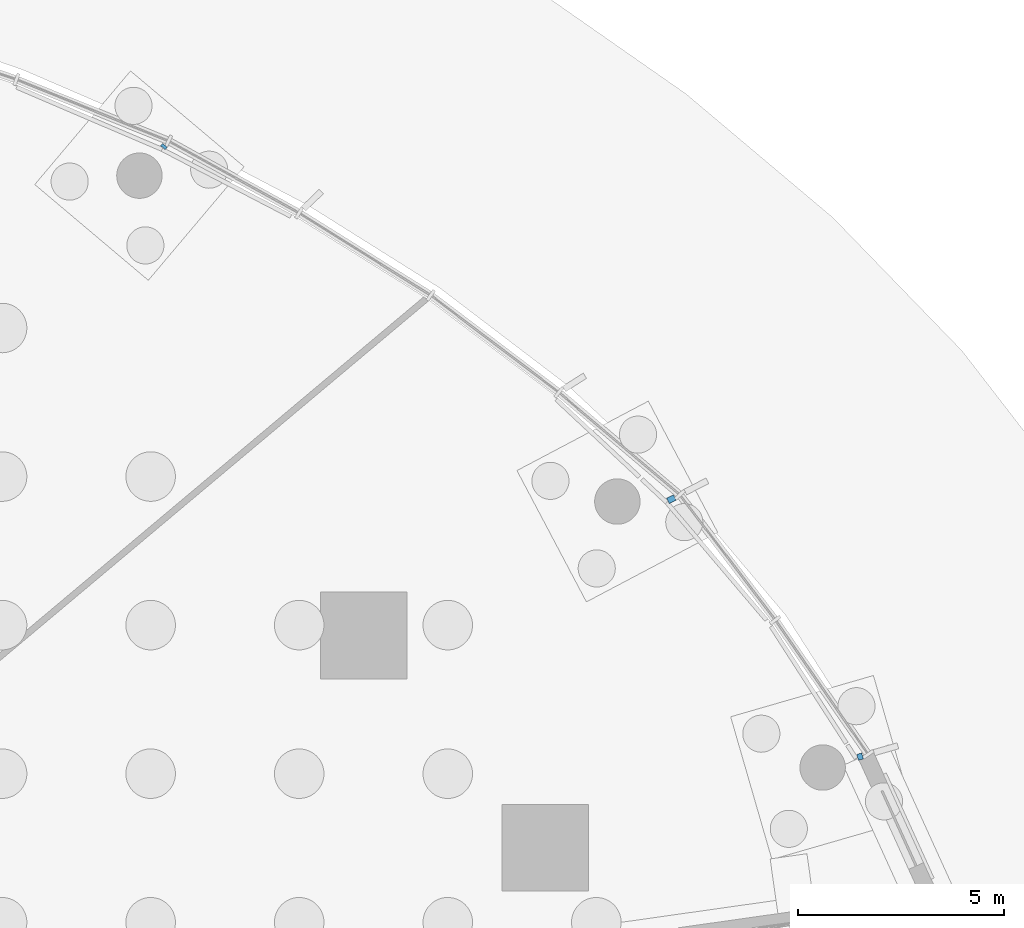
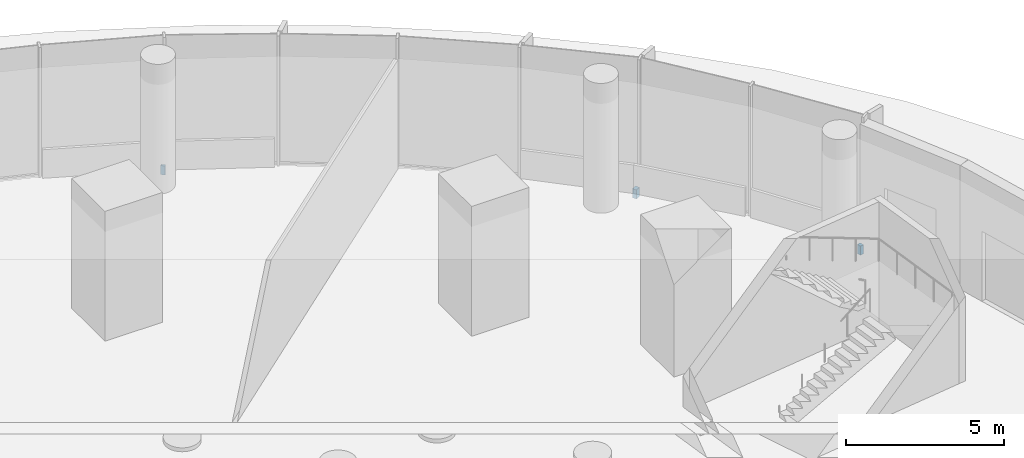
# One storey, part 23 of 29: 3 discrete accessories.
"""IFC4 building model written with IfcOpenShell, lengths in metres."""

from ifc_helpers import new_model, si_unit, direction, frame, origin, origin_2d, place, context, subcontext, project, spatial, rectangle, extrude, material, type_object, element, save


model = new_model("IFC4")

# Units and contexts
model_context = context("Model", 3, precision=1e-05, world=origin(), true_north=direction((0.0, 1.0)))
body_context = subcontext(model_context, "Body", "Model", "MODEL_VIEW")
ifc_project = project(units=[si_unit("LENGTHUNIT", "METRE"), si_unit("AREAUNIT", "SQUARE_METRE"), si_unit("VOLUMEUNIT", "CUBIC_METRE"), si_unit("PLANEANGLEUNIT", "RADIAN"), si_unit("MASSUNIT", "GRAM", prefix="KILO")], contexts=[model_context])

# Site, building, storey
site_placement = place(None, origin())
site = spatial("IfcSite", under=ifc_project, at=site_placement, CompositionType="ELEMENT")
building_placement = place(site_placement, origin())
building = spatial("IfcBuilding", under=site, at=building_placement, Name="Ghaith Harvest Tower", CompositionType="ELEMENT")
storey_placement = place(building_placement, origin())
storey = spatial("IfcBuildingStorey", under=building, at=storey_placement, Name="L00", CompositionType="ELEMENT", Elevation=0.0)

# Discrete accessories
ifc_material_1 = material(Name="Stainless steel grade 1.4401", Category="steel")
discrete_accessory_type_1 = type_object("IfcDiscreteAccessoryType", Name="CURTAIN WALL BRACKET 125", PredefinedType="BRACKET", material=ifc_material_1)
discrete_accessory_1_placement = place(storey_placement, frame((38.791748046875, 11.211669921875, -0.25), z_axis=(0.0, 0.0, 1.0), x_axis=(0.960680349985, 0.277656739792, 0.0)))
element("IfcDiscreteAccessory", 1, at=discrete_accessory_1_placement, inside=storey, type_object=discrete_accessory_type_1, Name="CW-P bracket 1 bay 02 L00", PredefinedType="BRACKET", context=body_context, shape_type="SweptSolid", body=[
    extrude(rectangle(XDim=0.125, YDim=0.14990234375, at=origin_2d()), origin(), (0.0, 0.0, 1.0), 0.35009765625),
])
ifc_material_2 = material(Name="Stainless steel grade 1.4401", Category="steel")
discrete_accessory_type_2 = type_object("IfcDiscreteAccessoryType", Name="CURTAIN WALL BRACKET 185", PredefinedType="BRACKET", material=ifc_material_2)
discrete_accessory_2_placement = place(storey_placement, frame((34.216552734375, 17.450927734375, -0.25), z_axis=(0.0, 0.0, 1.0), x_axis=(0.890830752257, 0.454335306611, 0.0)))
element("IfcDiscreteAccessory", 2, at=discrete_accessory_2_placement, inside=storey, type_object=discrete_accessory_type_2, Name="CW-P bracket 3 bay 02 L00", PredefinedType="BRACKET", context=body_context, shape_type="SweptSolid", body=[
    extrude(rectangle(XDim=0.18505859375, YDim=0.14990234375, at=origin_2d()), origin(), (0.0, 0.0, 1.0), 0.35009765625),
])
ifc_material_3 = material(Name="Stainless steel grade 1.4401", Category="steel")
discrete_accessory_type_3 = type_object("IfcDiscreteAccessoryType", Name="CURTAIN WALL BRACKET 75", PredefinedType="BRACKET", material=ifc_material_3)
discrete_accessory_3_placement = place(storey_placement, frame((21.922119140625, 25.99658203125, -0.25), z_axis=(0.0, 0.0, 1.0), x_axis=(0.644657240203, 0.764471740913, 0.0)))
element("IfcDiscreteAccessory", 3, at=discrete_accessory_3_placement, inside=storey, type_object=discrete_accessory_type_3, Name="CW-P bracket 1 bay 04 L00", PredefinedType="BRACKET", context=body_context, shape_type="SweptSolid", body=[
    extrude(rectangle(XDim=0.074951171875, YDim=0.14990234375, at=origin_2d()), origin(), (0.0, 0.0, 1.0), 0.35009765625),
])

save(model, "model.ifc")
